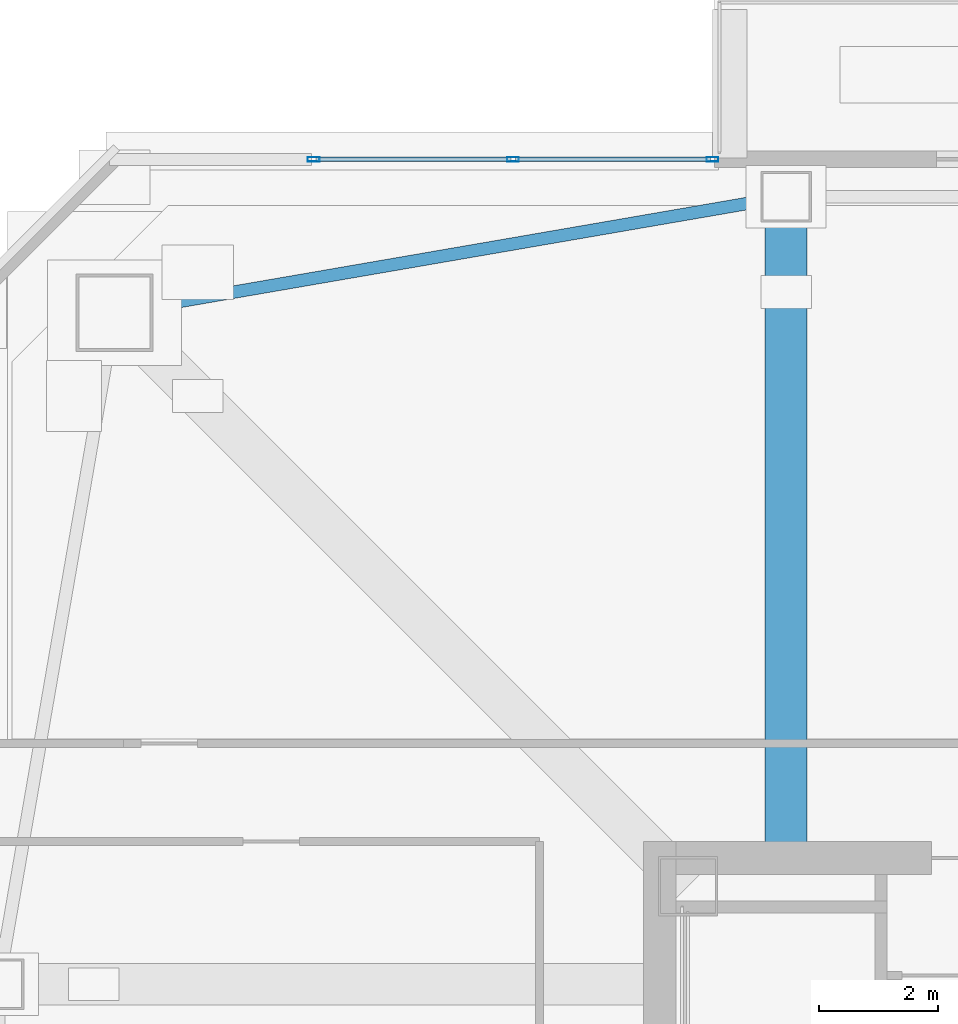
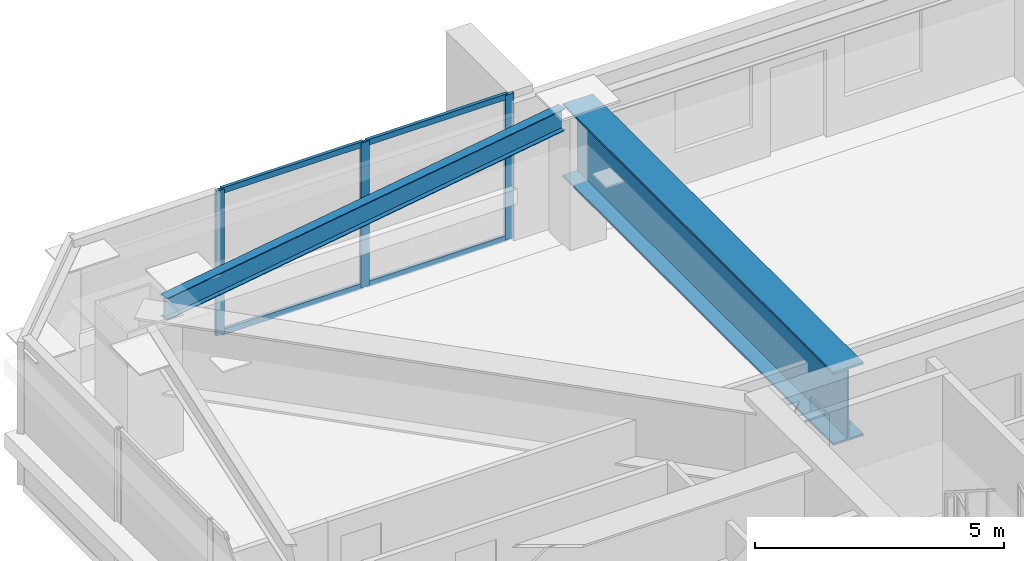
# One storey, part 12 of 42: 7 members, 2 beams, 1 element without a shape of its own.
"""IFC4 building model written with IfcOpenShell, lengths in metres."""

import ifcopenshell
import ifcopenshell.guid

model = None  # the IFC model being written
_history = None  # IfcOwnerHistory: only IFC2X3 demands one
_inside = {}  # id of a spatial element -> (the spatial element, [elements in it])
_under = {}  # id of a project, library or spatial element -> (it, [spatial elements below it])
_declared = {}  # id of a project -> (the project, [libraries it declares])
_typed = {}  # id of a type object -> (the type object, [elements of that type])
_made_of = {}  # id of a material, layer set ... -> (it, [elements and type objects made of it])


def new_model(schema):
    """Start an empty IFC model of exactly this schema.

    Asked for "IFC4X3", IfcOpenShell would pick the latest addendum, in which some entities
    have other attributes; the version numbers below select the first issue.
    IFC2X3 requires an IfcOwnerHistory on every rooted entity: one is made here for all.
    """
    global model, _history
    if schema == "IFC4X3":
        model = ifcopenshell.file(schema_version=(4, 3, 0, 0))
    else:
        model = ifcopenshell.file(schema=schema)
    _inside.clear()
    _under.clear()
    _declared.clear()
    _typed.clear()
    _made_of.clear()
    _history = None
    if model.schema == "IFC2X3":
        org = make("IfcOrganization", Name="unknown")
        user = make(
            "IfcPersonAndOrganization",
            ThePerson=make("IfcPerson", FamilyName="unknown"),
            TheOrganization=org,
        )
        app = make(
            "IfcApplication",
            ApplicationDeveloper=org,
            Version="unknown",
            ApplicationFullName="unknown",
            ApplicationIdentifier="unknown",
        )
        _history = make(
            "IfcOwnerHistory",
            OwningUser=user,
            OwningApplication=app,
            ChangeAction="ADDED",
            CreationDate=0,
        )
    return model


def make(cls, **values):
    """One entity of the class cls with the attributes given. An attribute that is None is left unset."""
    return model.create_entity(
        cls, **{name: value for name, value in values.items() if value is not None}
    )


def rooted(cls, **values):
    """An entity with a GlobalId (a new one), such as an element, a storey or a relation."""
    return make(cls, GlobalId=ifcopenshell.guid.new(), OwnerHistory=_history, **values)


def si_unit(unit_type, name, prefix=None):
    """IfcSIUnit, for example si_unit("LENGTHUNIT", "METRE", prefix="MILLI")."""
    return make("IfcSIUnit", UnitType=unit_type, Prefix=prefix, Name=name)


def assignment(units):
    """IfcUnitAssignment: the units of a project."""
    return None if units is None else make("IfcUnitAssignment", Units=units)


def point(xyz):
    """IfcCartesianPoint."""
    return None if xyz is None else make("IfcCartesianPoint", Coordinates=xyz)


def direction(xyz):
    """IfcDirection."""
    return None if xyz is None else make("IfcDirection", DirectionRatios=xyz)


def frame(location, z_axis=None, x_axis=None):
    """IfcAxis2Placement3D, a coordinate frame: its origin and axes. An axis left out is left unset."""
    return make(
        "IfcAxis2Placement3D",
        Location=point(location),
        Axis=direction(z_axis),
        RefDirection=direction(x_axis),
    )


def frame_2d(location, x_axis=None):
    """IfcAxis2Placement2D, a coordinate frame in the plane: its origin and x axis."""
    return make(
        "IfcAxis2Placement2D", Location=point(location), RefDirection=direction(x_axis)
    )


def origin():
    """The frame at (0, 0, 0) with its axes left unset."""
    return frame((0.0, 0.0, 0.0))


def origin_2d():
    """The frame at (0, 0) in the plane with its x axis left unset."""
    return frame_2d((0.0, 0.0))


def place(relative_to, where):
    """IfcLocalPlacement: puts the frame where relative to a parent placement (None: the world)."""
    return make(
        "IfcLocalPlacement", PlacementRelTo=relative_to, RelativePlacement=where
    )


def context(
    kind, dimensions, precision=None, world=None, true_north=None, identifier=None
):
    """IfcGeometricRepresentationContext, for example the 3D "Model" context."""
    return make(
        "IfcGeometricRepresentationContext",
        ContextIdentifier=identifier,
        ContextType=kind,
        CoordinateSpaceDimension=dimensions,
        Precision=precision,
        WorldCoordinateSystem=world,
        TrueNorth=true_north,
    )


def subcontext(parent, identifier, kind, view, scale=None):
    """IfcGeometricRepresentationSubContext, for example "Body" below "Model"."""
    return make(
        "IfcGeometricRepresentationSubContext",
        ContextIdentifier=identifier,
        ContextType=kind,
        ParentContext=parent,
        TargetScale=scale,
        TargetView=view,
    )


def project(units=None, contexts=None):
    """IfcProject with its units and contexts."""
    return rooted(
        "IfcProject",
        Name="project",
        RepresentationContexts=contexts,
        UnitsInContext=assignment(units),
    )


def spatial(cls, under=None, at=None, **own):
    """A site, building, storey or space (cls), placed at a placement, below another one or the project."""
    s = rooted(cls, ObjectPlacement=at, **own)
    if under is not None:
        _under.setdefault(under.id(), (under, []))[1].append(s)
    return s


def profile(cls, at=None, kind="AREA", **sizes):
    """A parametric profile (cls). Its sizes go by their IFC names, for example OverallWidth=200.0."""
    return make(cls, ProfileType=kind, Position=at, **sizes)


def hollow_rectangle(**sizes):
    """IfcRectangleHollowProfileDef."""
    return profile("IfcRectangleHollowProfileDef", **sizes)


def i_section(**sizes):
    """IfcIShapeProfileDef."""
    return profile("IfcIShapeProfileDef", **sizes)


def extrude(swept, where, along, depth):
    """IfcExtrudedAreaSolid: the profile swept, set in the frame where, extruded along a direction by depth."""
    return make(
        "IfcExtrudedAreaSolid",
        SweptArea=swept,
        Position=where,
        ExtrudedDirection=direction(along),
        Depth=depth,
    )


def shape(context_of_items, identifier, shape_type, items):
    """IfcShapeRepresentation: the items that make up one representation, for example the "Body"."""
    return make(
        "IfcShapeRepresentation",
        ContextOfItems=context_of_items,
        RepresentationIdentifier=identifier,
        RepresentationType=shape_type,
        Items=items,
    )


def material(Name=None, Category=None):
    """IfcMaterial."""
    return make("IfcMaterial", Name=Name, Category=Category)


def material_profile(
    of_material, cross_section, Name=None, Category=None, Priority=None
):
    """IfcMaterialProfile: a cross section and its material."""
    return make(
        "IfcMaterialProfile",
        Name=Name,
        Material=of_material,
        Profile=cross_section,
        Priority=Priority,
        Category=Category,
    )


def profile_set(profiles, Name=None, composite=None):
    """IfcMaterialProfileSet."""
    return make(
        "IfcMaterialProfileSet",
        Name=Name,
        MaterialProfiles=profiles,
        CompositeProfile=composite,
    )


def made_of(thing, what):
    """Note that an element or type object is made of a material, layer set ...; save() writes the relation."""
    if what is not None:
        _made_of.setdefault(what.id(), (what, []))[1].append(thing)
    return thing


def type_object(cls, material=None, **own):
    """A type object (cls), such as IfcWallType, which elements share."""
    return made_of(rooted(cls, **own), material)


def element(
    cls,
    number,
    at=None,
    inside=None,
    cuts=None,
    type_object=None,
    material=None,
    context=None,
    identifier="Body",
    shape_type=None,
    held_by="IfcProductDefinitionShape",
    body=None,
    shapes=None,
    **own,
):
    """One element of the class cls, such as IfcWall. Its Tag is "e" and its number.

    at: its placement. inside: the storey or other place that contains it. cuts: it is an
    opening in that element (IfcRelVoidsElement). A single representation is given by context,
    identifier, shape_type and body (its items); several are given by shapes. held_by: the class
    of the entity that holds the representations. save() writes the other relations.
    """
    e = rooted(cls, Tag="e%d" % number, ObjectPlacement=at, **own)
    if body is not None:
        shapes = [shape(context, identifier, shape_type, body)]
    if shapes is not None:
        e.Representation = make(held_by, Representations=shapes)
    if inside is not None:
        _inside.setdefault(inside.id(), (inside, []))[1].append(e)
    if cuts is not None:
        rooted(
            "IfcRelVoidsElement", RelatingBuildingElement=cuts, RelatedOpeningElement=e
        )
    if type_object is not None:
        _typed.setdefault(type_object.id(), (type_object, []))[1].append(e)
    return made_of(e, material)


def aggregate(whole, parts):
    """IfcRelAggregates: a whole, such as a stair, and the parts it consists of."""
    return rooted("IfcRelAggregates", RelatingObject=whole, RelatedObjects=parts)


def save(model, path):
    """Write the relations noted so far, then the file.

    IfcRelAggregates (storeys below a building ...), IfcRelContainedInSpatialStructure (elements
    in a storey), IfcRelDefinesByType, IfcRelAssociatesMaterial and IfcRelDeclares: one each for
    every whole, place, type object, material and project.
    """
    for whole, parts in _under.values():
        aggregate(whole, parts)
    for where, things in _inside.values():
        rooted(
            "IfcRelContainedInSpatialStructure",
            RelatedElements=things,
            RelatingStructure=where,
        )
    for kind, things in _typed.values():
        rooted("IfcRelDefinesByType", RelatedObjects=things, RelatingType=kind)
    for what, things in _made_of.values():
        rooted("IfcRelAssociatesMaterial", RelatedObjects=things, RelatingMaterial=what)
    for by, libraries in _declared.values():
        rooted("IfcRelDeclares", RelatingContext=by, RelatedDefinitions=libraries)
    model.write(path)


model = new_model("IFC4")

# Units and contexts
model_context = context("Model", 3, precision=1e-05, world=origin(), true_north=direction((0.0, 1.0)))
body_context = subcontext(model_context, "Body", "Model", "MODEL_VIEW")
ifc_project = project(units=[si_unit("LENGTHUNIT", "METRE"), si_unit("AREAUNIT", "SQUARE_METRE"), si_unit("VOLUMEUNIT", "CUBIC_METRE"), si_unit("PLANEANGLEUNIT", "RADIAN"), si_unit("MASSUNIT", "GRAM", prefix="KILO")], contexts=[model_context])

# Site, building, storey
site_placement = place(None, origin())
site = spatial("IfcSite", under=ifc_project, at=site_placement, CompositionType="ELEMENT")
building_placement = place(site_placement, origin())
building = spatial("IfcBuilding", under=site, at=building_placement, Name="Tashvorn Skyway Center", CompositionType="ELEMENT")
storey_placement = place(building_placement, frame((0.0, 0.0, 153.449951171875)))
storey = spatial("IfcBuildingStorey", under=building, at=storey_placement, Name="L41", CompositionType="ELEMENT", Elevation=153.449951171875)

# Beams
ifc_material_1 = material(Name="Steel ASTM A572 Grade 50", Category="steel")
ifc_material_profile_1 = material_profile(ifc_material_1, i_section(OverallWidth=0.699951171875, OverallDepth=1.800048828125, WebThickness=0.031982421875, FlangeThickness=0.050048828125, at=origin_2d()), Name="PG1800x700")
ifc_profile_set_1 = profile_set([ifc_material_profile_1], Name="Steel ASTM A572 Grade 50")
beam_type_1 = type_object("IfcBeamType", Name="BM-BEAM-PG1800x700", PredefinedType="BEAM", material=ifc_profile_set_1)
beam_1_placement = place(storey_placement, frame((36.60009765625, 50.64990234375, 2.469970703125), z_axis=(0.0, -1.0, 0.0), x_axis=(1.0, 0.0, 0.0)))
element("IfcBeam", 1, at=beam_1_placement, inside=storey, type_object=beam_type_1, Name="Tower 1 L41 Setback Transfer Girder FC-N2", PredefinedType="BEAM", context=body_context, shape_type="SweptSolid", body=[
    extrude(i_section(OverallWidth=0.699951171875, OverallDepth=1.800048828125, WebThickness=0.031982421875, FlangeThickness=0.050048828125, at=origin_2d()), origin(), (0.0, 0.0, 1.0), 10.869873046875),
])
ifc_material_2 = material(Name="Steel ASTM A992 Grade 50", Category="steel")
ifc_material_profile_2 = material_profile(ifc_material_2, i_section(OverallWidth=0.2109375, OverallDepth=0.5390625, WebThickness=0.01171875, FlangeThickness=0.018798828125, at=origin_2d()), Name="W21X73")
ifc_profile_set_2 = profile_set([ifc_material_profile_2], Name="Steel ASTM A992 Grade 50")
beam_type_2 = type_object("IfcBeamType", Name="BM-SPANDREL-W21X73", PredefinedType="SPANDREL", material=ifc_profile_set_2)
beam_2_placement = place(storey_placement, frame((36.18603515625, 50.57861328125, 3.1005859375), z_axis=(-0.985432458462, -0.170067250846, 0.0), x_axis=(0.170067250846, -0.985432458462, 0.0)))
element("IfcBeam", 2, at=beam_2_placement, inside=storey, type_object=beam_type_2, Name="Tower 1 L41 Spandrel Beam 09", PredefinedType="SPANDREL", context=body_context, shape_type="SweptSolid", body=[
    extrude(i_section(OverallWidth=0.2109375, OverallDepth=0.5390625, WebThickness=0.01171875, FlangeThickness=0.018798828125, at=origin_2d()), origin(), (0.0, 0.0, 1.0), 10.402099609375),
])

# Curtain wall, members
ifc_material_3 = material(Name="Thermally broken bronze-anodized aluminium 6063-T6", Category="aluminium")
curtain_wall_type = type_object("IfcCurtainWallType", Name="CW-CW-Z3", PredefinedType="NOTDEFINED", material=ifc_material_3)
curtain_wall_placement = place(storey_placement, origin())
curtain_wall = element("IfcCurtainWall", 3, at=curtain_wall_placement, inside=storey, type_object=curtain_wall_type, Name="Tower 1 L41 North Curtain Wall L Glazing Group 1", PredefinedType="NOTDEFINED")
ifc_material_profile_3 = material_profile(ifc_material_3, hollow_rectangle(XDim=0.074951171875, YDim=0.199951171875, WallThickness=0.00439453125, at=origin_2d()), Name="ALU-MULL-75x200")
ifc_profile_set_3 = profile_set([ifc_material_profile_3], Name="Thermally broken bronze-anodized aluminium 6063-T6")
member_type_1 = type_object("IfcMemberType", Name="CWM-CW-Z3", PredefinedType="MULLION", material=ifc_profile_set_3)
member_1_placement = place(storey_placement, frame((28.65087890625, 51.280029296875, 0.0), z_axis=(0.0, 0.0, 1.0), x_axis=(0.0, 1.0, 0.0)))
member_1 = element("IfcMember", 4, at=member_1_placement, type_object=member_type_1, Name="CW-Z3 mullion 1", PredefinedType="MULLION", context=body_context, shape_type="SweptSolid", body=[
    extrude(hollow_rectangle(XDim=0.074951171875, YDim=0.199951171875, WallThickness=0.00439453125, at=origin_2d()), origin(), (0.0, 0.0, 1.0), 3.550048828125),
])
member_2_placement = place(storey_placement, frame((32.006591796875, 51.280029296875, 0.0), z_axis=(0.0, 0.0, 1.0), x_axis=(0.0, 1.0, 0.0)))
member_2 = element("IfcMember", 5, at=member_2_placement, type_object=member_type_1, Name="CW-Z3 mullion 2", PredefinedType="MULLION", context=body_context, shape_type="SweptSolid", body=[
    extrude(hollow_rectangle(XDim=0.074951171875, YDim=0.199951171875, WallThickness=0.00439453125, at=origin_2d()), origin(), (0.0, 0.0, 1.0), 3.550048828125),
])
member_3_placement = place(storey_placement, frame((35.362548828125, 51.280029296875, 0.0), z_axis=(0.0, 0.0, 1.0), x_axis=(0.0, 1.0, 0.0)))
member_3 = element("IfcMember", 6, at=member_3_placement, type_object=member_type_1, Name="CW-Z3 mullion 3", PredefinedType="MULLION", context=body_context, shape_type="SweptSolid", body=[
    extrude(hollow_rectangle(XDim=0.074951171875, YDim=0.199951171875, WallThickness=0.00439453125, at=origin_2d()), origin(), (0.0, 0.0, 1.0), 3.550048828125),
])
ifc_material_profile_4 = material_profile(ifc_material_3, hollow_rectangle(XDim=0.074951171875, YDim=0.139892578125, WallThickness=0.004150390625, at=origin_2d()), Name="ALU-TRAN-75x140")
ifc_profile_set_4 = profile_set([ifc_material_profile_4], Name="Thermally broken bronze-anodized aluminium 6063-T6")
member_type_2 = type_object("IfcMemberType", Name="CWT-CW-Z3", PredefinedType="USERDEFINED", material=ifc_profile_set_4)
member_4_placement = place(storey_placement, frame((28.688232421875, 51.280029296875, 0.03759765625), z_axis=(1.0, 0.0, 0.0), x_axis=(0.0, 1.0, 0.0)))
member_4 = element("IfcMember", 7, at=member_4_placement, type_object=member_type_2, Name="CW-Z3 transom 1.1", ObjectType="TRANSOM", PredefinedType="USERDEFINED", context=body_context, shape_type="SweptSolid", body=[
    extrude(hollow_rectangle(XDim=0.074951171875, YDim=0.139892578125, WallThickness=0.004150390625, at=origin_2d()), origin(), (0.0, 0.0, 1.0), 3.281005859375),
])
member_5_placement = place(storey_placement, frame((28.688232421875, 51.280029296875, 3.512451171875), z_axis=(1.0, 0.0, 0.0), x_axis=(0.0, 1.0, 0.0)))
member_5 = element("IfcMember", 8, at=member_5_placement, type_object=member_type_2, Name="CW-Z3 transom 1.2", ObjectType="TRANSOM", PredefinedType="USERDEFINED", context=body_context, shape_type="SweptSolid", body=[
    extrude(hollow_rectangle(XDim=0.074951171875, YDim=0.139892578125, WallThickness=0.004150390625, at=origin_2d()), origin(), (0.0, 0.0, 1.0), 3.281005859375),
])
member_6_placement = place(storey_placement, frame((32.044189453125, 51.280029296875, 0.03759765625), z_axis=(1.0, 0.0, 0.0), x_axis=(0.0, 1.0, 0.0)))
member_6 = element("IfcMember", 9, at=member_6_placement, type_object=member_type_2, Name="CW-Z3 transom 2.1", ObjectType="TRANSOM", PredefinedType="USERDEFINED", context=body_context, shape_type="SweptSolid", body=[
    extrude(hollow_rectangle(XDim=0.074951171875, YDim=0.139892578125, WallThickness=0.004150390625, at=origin_2d()), origin(), (0.0, 0.0, 1.0), 3.28076171875),
])
member_7_placement = place(storey_placement, frame((32.044189453125, 51.280029296875, 3.512451171875), z_axis=(1.0, 0.0, 0.0), x_axis=(0.0, 1.0, 0.0)))
member_7 = element("IfcMember", 10, at=member_7_placement, type_object=member_type_2, Name="CW-Z3 transom 2.2", ObjectType="TRANSOM", PredefinedType="USERDEFINED", context=body_context, shape_type="SweptSolid", body=[
    extrude(hollow_rectangle(XDim=0.074951171875, YDim=0.139892578125, WallThickness=0.004150390625, at=origin_2d()), origin(), (0.0, 0.0, 1.0), 3.28076171875),
])
aggregate(curtain_wall, [member_1, member_2, member_3, member_4, member_5, member_6, member_7])

save(model, "model.ifc")
